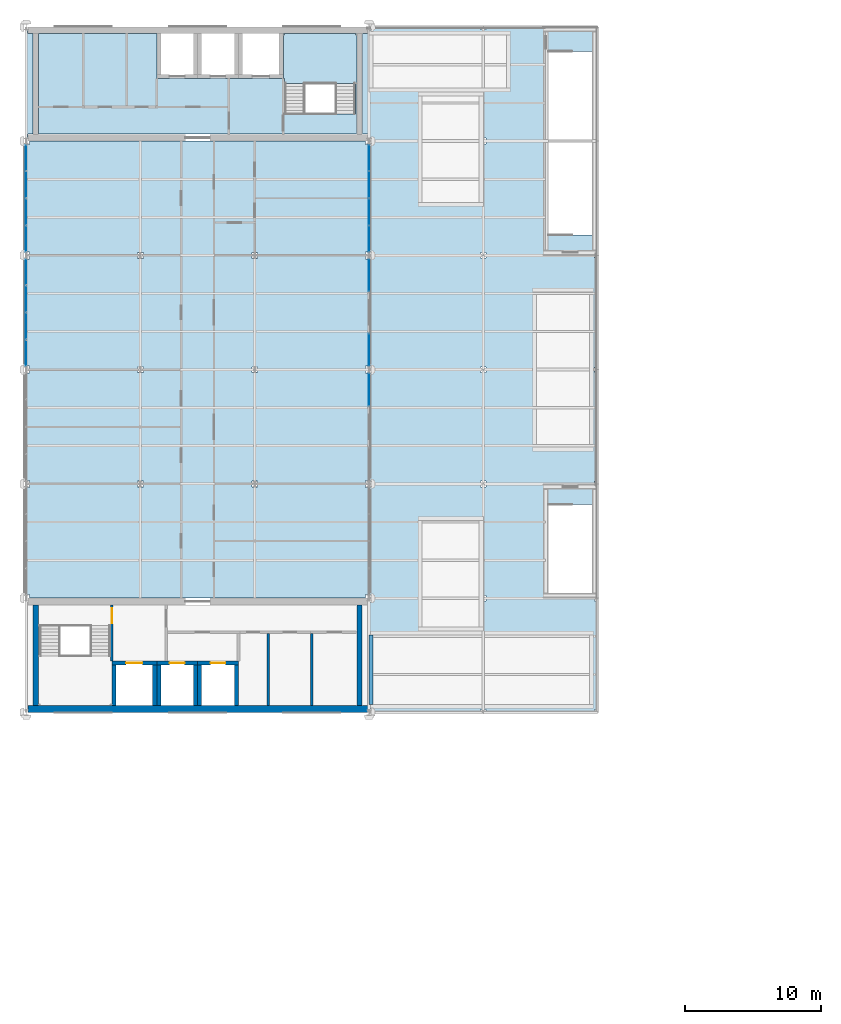
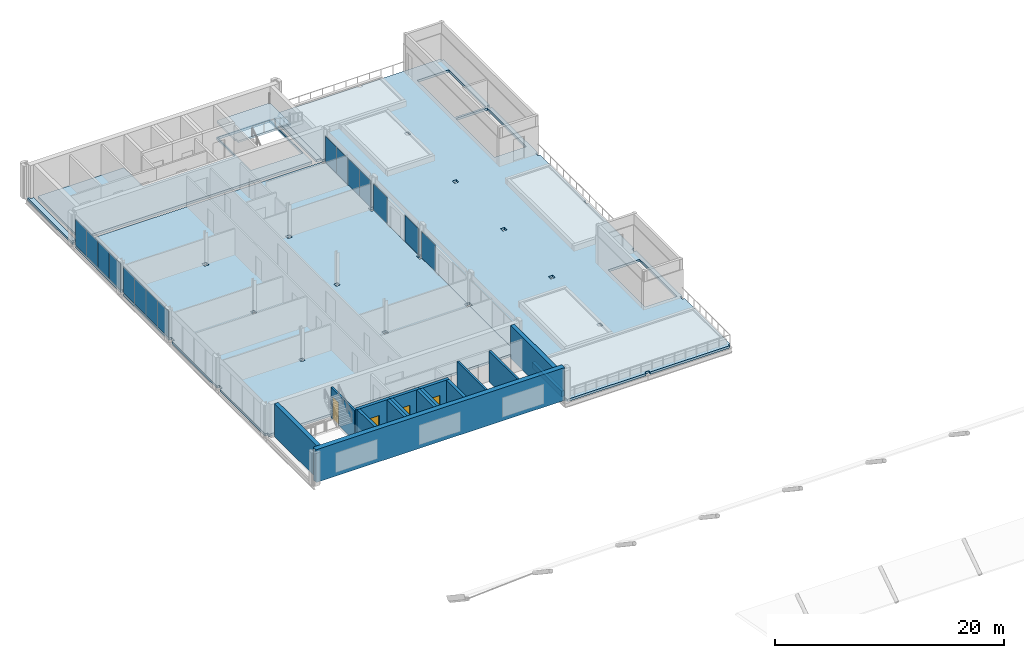
# One storey, part 23 of 32: 16 walls, 15 plates, 6 slabs, 4 doors, 4 openings, 7 elements without a shape of their own.
"""IFC4 building model written with IfcOpenShell, lengths in metres."""

from ifc_helpers import new_model, si_unit, direction, frame, frame_2d, origin, origin_2d, place, context, subcontext, project, spatial, polyline, rectangle, outline, extrude, material, layer, layer_set, type_object, element, fill, aggregate, save


model = new_model("IFC4")

# Units and contexts
model_context = context("Model", 3, precision=1e-05, world=origin(), true_north=direction((0.0, 1.0)))
body_context = subcontext(model_context, "Body", "Model", "MODEL_VIEW")
ifc_project = project(units=[si_unit("LENGTHUNIT", "METRE"), si_unit("AREAUNIT", "SQUARE_METRE"), si_unit("VOLUMEUNIT", "CUBIC_METRE"), si_unit("PLANEANGLEUNIT", "RADIAN"), si_unit("MASSUNIT", "GRAM", prefix="KILO")], contexts=[model_context])

# Site, building, storey
site_placement = place(None, origin())
site = spatial("IfcSite", under=ifc_project, at=site_placement, CompositionType="ELEMENT")
building_placement = place(site_placement, origin())
building = spatial("IfcBuilding", under=site, at=building_placement, Name="Catenary Quay Ferry Terminal", CompositionType="ELEMENT")
storey_placement = place(building_placement, frame((0.0, 0.0, 17.10009765625)))
storey = spatial("IfcBuildingStorey", under=building, at=storey_placement, Name="L03", CompositionType="ELEMENT", Elevation=17.10009765625)

# Slabs
ifc_material_1 = material(Name="Concrete C35/45", Category="concrete")
ifc_layer_1 = layer(ifc_material_1, 0.25)
ifc_layer_set_1 = layer_set([ifc_layer_1], Name="Composite floor slab 250")
slab_type_1 = type_object("IfcSlabType", Name="Composite floor slab 250", PredefinedType="FLOOR", material=ifc_layer_set_1)
slab_1_placement = place(storey_placement, frame((0.0, 0.0, -0.25)))
element("IfcSlab", 1, at=slab_1_placement, inside=storey, type_object=slab_type_1, Name="Wing floor slab L03", PredefinedType="FLOOR", context=body_context, shape_type="SweptSolid", body=[
    extrude(outline(polyline([(50.39990234375, 168.260009765625), (50.139892578125, 168.260009765625), (50.139892578125, 168.010009765625), (25.4599609375, 168.010009765625), (25.4599609375, 168.260009765625), (25.199951171875, 168.260009765625), (25.199951171875, 176.139892578125), (25.4599609375, 176.139892578125), (25.4599609375, 176.659912109375), (25.199951171875, 176.659912109375), (25.199951171875, 184.5400390625), (25.4599609375, 184.5400390625), (25.4599609375, 185.06005859375), (25.199951171875, 185.06005859375), (25.199951171875, 192.93994140625), (25.4599609375, 192.93994140625), (25.4599609375, 193.4599609375), (25.199951171875, 193.4599609375), (25.199951171875, 201.340087890625), (25.4599609375, 201.340087890625), (25.4599609375, 201.590087890625), (50.139892578125, 201.590087890625), (50.139892578125, 201.340087890625), (50.39990234375, 201.340087890625), (50.39990234375, 193.4599609375), (50.139892578125, 193.4599609375), (50.139892578125, 192.93994140625), (50.39990234375, 192.93994140625), (50.39990234375, 185.06005859375), (50.139892578125, 185.06005859375), (50.139892578125, 184.5400390625), (50.39990234375, 184.5400390625), (50.39990234375, 176.659912109375), (50.139892578125, 176.659912109375), (50.139892578125, 176.139892578125), (50.39990234375, 176.139892578125), (50.39990234375, 168.260009765625)]), holes=[polyline([(33.8134765625, 176.1865234375), (33.8134765625, 176.613525390625), (33.386474609375, 176.613525390625), (33.386474609375, 176.1865234375), (33.8134765625, 176.1865234375)]), polyline([(33.8134765625, 184.58642578125), (33.8134765625, 185.013427734375), (33.386474609375, 185.013427734375), (33.386474609375, 184.58642578125), (33.8134765625, 184.58642578125)]), polyline([(33.386474609375, 192.986572265625), (33.8134765625, 192.986572265625), (33.8134765625, 193.41357421875), (33.386474609375, 193.41357421875), (33.386474609375, 192.986572265625)]), polyline([(42.21337890625, 176.1865234375), (42.21337890625, 176.613525390625), (41.78662109375, 176.613525390625), (41.78662109375, 176.1865234375), (42.21337890625, 176.1865234375)]), polyline([(41.78662109375, 184.58642578125), (42.21337890625, 184.58642578125), (42.21337890625, 185.013427734375), (41.78662109375, 185.013427734375), (41.78662109375, 184.58642578125)]), polyline([(42.21337890625, 192.986572265625), (42.21337890625, 193.41357421875), (41.78662109375, 193.41357421875), (41.78662109375, 192.986572265625), (42.21337890625, 192.986572265625)])]), origin(), (0.0, 0.0, 1.0), 0.25),
])
slab_2_placement = place(storey_placement, frame((0.0, 0.0, -0.25)))
element("IfcSlab", 2, at=slab_2_placement, inside=storey, type_object=slab_type_1, Name="Wing floor slab L03", PredefinedType="FLOOR", context=body_context, shape_type="SweptSolid", body=[
    extrude(outline(polyline([(50.39990234375, 202.110107421875), (49.909912109375, 202.110107421875), (49.909912109375, 209.489990234375), (50.39990234375, 209.489990234375), (50.39990234375, 202.110107421875)])), origin(), (0.0, 0.0, 1.0), 0.25),
])
slab_3_placement = place(storey_placement, frame((0.0, 0.0, -0.25)))
element("IfcSlab", 3, at=slab_3_placement, inside=storey, type_object=slab_type_1, Name="Wing floor slab L03", PredefinedType="FLOOR", context=body_context, shape_type="SweptSolid", body=[
    extrude(outline(polyline([(25.199951171875, 209.739990234375), (25.340087890625, 209.739990234375), (25.340087890625, 209.489990234375), (25.68994140625, 209.489990234375), (25.68994140625, 202.110107421875), (25.340087890625, 202.110107421875), (25.340087890625, 201.860107421875), (25.199951171875, 201.860107421875), (25.199951171875, 209.739990234375)])), origin(), (0.0, 0.0, 1.0), 0.25),
])
slab_4_placement = place(storey_placement, frame((0.0, 0.0, -0.25)))
element("IfcSlab", 4, at=slab_4_placement, inside=storey, type_object=slab_type_1, Name="Wing floor slab L03", PredefinedType="FLOOR", context=body_context, shape_type="SweptSolid", body=[
    extrude(outline(polyline([(49.489990234375, 209.489990234375), (49.489990234375, 202.110107421875), (26.110107421875, 202.110107421875), (26.110107421875, 209.489990234375), (34.800048828125, 209.489990234375), (34.800048828125, 206.199951171875), (37.800048828125, 206.199951171875), (40.800048828125, 206.199951171875), (44.10009765625, 206.199951171875), (44.10009765625, 209.489990234375), (49.489990234375, 209.489990234375)]), holes=[polyline([(49.39990234375, 203.60009765625), (49.39990234375, 209.39990234375), (44.199951171875, 209.39990234375), (44.199951171875, 203.60009765625), (49.39990234375, 203.60009765625)])]), origin(), (0.0, 0.0, 1.0), 0.25),
])
ifc_material_2 = material(Name="Concrete C35/45", Category="concrete")
ifc_layer_2 = layer(ifc_material_2, 0.25)
ifc_layer_set_2 = layer_set([ifc_layer_2], Name="Composite roof slab 250")
slab_type_2 = type_object("IfcSlabType", Name="Composite roof slab 250", PredefinedType="ROOF", material=ifc_layer_set_2)
slab_5_placement = place(storey_placement, frame((0.0, 0.0, -0.25)))
element("IfcSlab", 5, at=slab_5_placement, inside=storey, type_object=slab_type_2, Name="Garden terrace slab", PredefinedType="ROOF", context=body_context, shape_type="SweptSolid", body=[
    extrude(outline(polyline([(67.199951171875, 159.81005859375), (66.989990234375, 159.81005859375), (66.989990234375, 159.60009765625), (59.010009765625, 159.60009765625), (59.010009765625, 159.81005859375), (58.590087890625, 159.81005859375), (58.590087890625, 159.60009765625), (50.659912109375, 159.60009765625), (50.659912109375, 159.860107421875), (50.403076171875, 159.860107421875), (50.403076171875, 160.110107421875), (50.39990234375, 160.110107421875), (50.39990234375, 167.489990234375), (50.403076171875, 167.489990234375), (50.403076171875, 167.739990234375), (50.659912109375, 167.739990234375), (50.659912109375, 168.260009765625), (50.39990234375, 168.260009765625), (50.39990234375, 176.139892578125), (50.659912109375, 176.139892578125), (50.659912109375, 176.659912109375), (50.39990234375, 176.659912109375), (50.39990234375, 184.5400390625), (50.659912109375, 184.5400390625), (50.659912109375, 185.06005859375), (50.39990234375, 185.06005859375), (50.39990234375, 192.93994140625), (50.659912109375, 192.93994140625), (50.659912109375, 193.4599609375), (50.39990234375, 193.4599609375), (50.39990234375, 201.340087890625), (50.659912109375, 201.340087890625), (50.659912109375, 201.860107421875), (50.403076171875, 201.860107421875), (50.403076171875, 202.110107421875), (50.39990234375, 202.110107421875), (50.39990234375, 209.489990234375), (50.403076171875, 209.489990234375), (50.403076171875, 209.739990234375), (50.659912109375, 209.739990234375), (50.659912109375, 210.0), (58.590087890625, 210.0), (58.590087890625, 209.7900390625), (59.010009765625, 209.7900390625), (59.010009765625, 210.0), (66.989990234375, 210.0), (66.989990234375, 209.7900390625), (67.199951171875, 209.7900390625), (67.199951171875, 201.81005859375), (66.989990234375, 201.81005859375), (66.989990234375, 201.389892578125), (67.199951171875, 201.389892578125), (67.199951171875, 193.409912109375), (66.989990234375, 193.409912109375), (66.989990234375, 192.989990234375), (67.199951171875, 192.989990234375), (67.199951171875, 185.010009765625), (66.989990234375, 185.010009765625), (66.989990234375, 184.590087890625), (67.199951171875, 184.590087890625), (67.199951171875, 176.610107421875), (66.989990234375, 176.610107421875), (66.989990234375, 176.18994140625), (67.199951171875, 176.18994140625), (67.199951171875, 168.2099609375), (66.989990234375, 168.2099609375), (66.989990234375, 167.7900390625), (67.199951171875, 167.7900390625), (67.199951171875, 159.81005859375)]), holes=[polyline([(59.010009765625, 167.7900390625), (59.010009765625, 168.2099609375), (58.590087890625, 168.2099609375), (58.590087890625, 167.7900390625), (59.010009765625, 167.7900390625)]), polyline([(59.010009765625, 176.18994140625), (59.010009765625, 176.610107421875), (58.590087890625, 176.610107421875), (58.590087890625, 176.18994140625), (59.010009765625, 176.18994140625)]), polyline([(66.800048828125, 168.39990234375), (66.800048828125, 174.89990234375), (63.60009765625, 174.89990234375), (63.60009765625, 168.39990234375), (66.800048828125, 168.39990234375)]), polyline([(59.010009765625, 184.590087890625), (59.010009765625, 185.010009765625), (58.590087890625, 185.010009765625), (58.590087890625, 184.590087890625), (59.010009765625, 184.590087890625)]), polyline([(59.010009765625, 192.989990234375), (59.010009765625, 193.409912109375), (58.590087890625, 193.409912109375), (58.590087890625, 192.989990234375), (59.010009765625, 192.989990234375)]), polyline([(66.800048828125, 194.699951171875), (66.800048828125, 201.5), (63.60009765625, 201.5), (63.60009765625, 194.699951171875), (66.800048828125, 194.699951171875)]), polyline([(59.010009765625, 201.389892578125), (59.010009765625, 201.81005859375), (58.590087890625, 201.81005859375), (58.590087890625, 201.389892578125), (59.010009765625, 201.389892578125)]), polyline([(66.800048828125, 201.699951171875), (66.800048828125, 208.199951171875), (63.60009765625, 208.199951171875), (63.60009765625, 201.699951171875), (66.800048828125, 201.699951171875)])]), origin(), (0.0, 0.0, 1.0), 0.25),
])

# Curtain wall, plate
ifc_material_3 = material(Name="Aluminium and glass", Category="aluminium")
curtain_wall_type = type_object("IfcCurtainWallType", Name="CWW3", PredefinedType="NOTDEFINED", material=ifc_material_3)
curtain_wall_1_placement = place(storey_placement, origin())
curtain_wall_1 = element("IfcCurtainWall", 6, at=curtain_wall_1_placement, inside=storey, type_object=curtain_wall_type, Name="Wing curtain wall CW146", PredefinedType="NOTDEFINED")
ifc_material_4 = material(Name="Glass", Category="glass")
ifc_layer_3 = layer(ifc_material_4, 0.035888671875)
ifc_layer_set_3 = layer_set([ifc_layer_3], Name="PN4")
plate_type = type_object("IfcPlateType", Name="PN4", PredefinedType="CURTAIN_PANEL", material=ifc_layer_set_3)
plate_1_placement = place(storey_placement, frame((50.39990234375, 183.35009765625, 0.0498046875), z_axis=(0.0, 0.0, 1.0), x_axis=(0.0, 1.0, 0.0)))
plate_1 = element("IfcPlate", 7, at=plate_1_placement, type_object=plate_type, Name="CW146 panel 1.1", PredefinedType="CURTAIN_PANEL", context=body_context, shape_type="SweptSolid", body=[
    extrude(rectangle(XDim=2.3798828125, YDim=0.035888671875, at=origin_2d()), origin(), (0.0, 0.0, 1.0), 2.800048828125),
])
aggregate(curtain_wall_1, [plate_1])

curtain_wall_2_placement = place(storey_placement, origin())
curtain_wall_2 = element("IfcCurtainWall", 8, at=curtain_wall_2_placement, inside=storey, type_object=curtain_wall_type, Name="Wing curtain wall CW147", PredefinedType="NOTDEFINED")
plate_2_placement = place(storey_placement, frame((50.39990234375, 186.25, 0.0498046875), z_axis=(0.0, 0.0, 1.0), x_axis=(0.0, 1.0, 0.0)))
plate_2 = element("IfcPlate", 9, at=plate_2_placement, type_object=plate_type, Name="CW147 panel 1.1", PredefinedType="CURTAIN_PANEL", context=body_context, shape_type="SweptSolid", body=[
    extrude(rectangle(XDim=2.3798828125, YDim=0.035888671875, at=origin_2d()), origin(), (0.0, 0.0, 1.0), 2.800048828125),
])
aggregate(curtain_wall_2, [plate_2])

curtain_wall_3_placement = place(storey_placement, origin())
curtain_wall_3 = element("IfcCurtainWall", 10, at=curtain_wall_3_placement, inside=storey, type_object=curtain_wall_type, Name="Wing curtain wall CW148", PredefinedType="NOTDEFINED")
plate_3_placement = place(storey_placement, frame((50.39990234375, 191.75, 0.0498046875), z_axis=(0.0, 0.0, 1.0), x_axis=(0.0, 1.0, 0.0)))
plate_3 = element("IfcPlate", 11, at=plate_3_placement, type_object=plate_type, Name="CW148 panel 1.1", PredefinedType="CURTAIN_PANEL", context=body_context, shape_type="SweptSolid", body=[
    extrude(rectangle(XDim=2.3798828125, YDim=0.035888671875, at=origin_2d()), origin(), (0.0, 0.0, 1.0), 2.800048828125),
])
aggregate(curtain_wall_3, [plate_3])

# Curtain wall, plates
curtain_wall_4_placement = place(storey_placement, origin())
curtain_wall_4 = element("IfcCurtainWall", 12, at=curtain_wall_4_placement, inside=storey, type_object=curtain_wall_type, Name="Wing curtain wall CW149", PredefinedType="NOTDEFINED")
plate_4_placement = place(storey_placement, frame((50.39990234375, 194.4150390625, 0.0498046875), z_axis=(0.0, 0.0, 1.0), x_axis=(0.0, 1.0, 0.0)))
plate_4 = element("IfcPlate", 13, at=plate_4_placement, type_object=plate_type, Name="CW149 panel 1.1", PredefinedType="CURTAIN_PANEL", context=body_context, shape_type="SweptSolid", body=[
    extrude(rectangle(XDim=1.909912109375, YDim=0.035888671875, at=origin_2d()), origin(), (0.0, 0.0, 1.0), 2.800048828125),
])
plate_5_placement = place(storey_placement, frame((50.39990234375, 196.39990234375, 0.0498046875), z_axis=(0.0, 0.0, 1.0), x_axis=(0.0, 1.0, 0.0)))
plate_5 = element("IfcPlate", 14, at=plate_5_placement, type_object=plate_type, Name="CW149 panel 2.1", PredefinedType="CURTAIN_PANEL", context=body_context, shape_type="SweptSolid", body=[
    extrude(rectangle(XDim=1.93994140625, YDim=0.035888671875, at=origin_2d()), origin(), (0.0, 0.0, 1.0), 2.800048828125),
])
plate_6_placement = place(storey_placement, frame((50.39990234375, 198.39990234375, 0.0498046875), z_axis=(0.0, 0.0, 1.0), x_axis=(0.0, 1.0, 0.0)))
plate_6 = element("IfcPlate", 15, at=plate_6_placement, type_object=plate_type, Name="CW149 panel 3.1", PredefinedType="CURTAIN_PANEL", context=body_context, shape_type="SweptSolid", body=[
    extrude(rectangle(XDim=1.93994140625, YDim=0.035888671875, at=origin_2d()), origin(), (0.0, 0.0, 1.0), 2.800048828125),
])
plate_7_placement = place(storey_placement, frame((50.39990234375, 200.385009765625, 0.0498046875), z_axis=(0.0, 0.0, 1.0), x_axis=(0.0, 1.0, 0.0)))
plate_7 = element("IfcPlate", 16, at=plate_7_placement, type_object=plate_type, Name="CW149 panel 4.1", PredefinedType="CURTAIN_PANEL", context=body_context, shape_type="SweptSolid", body=[
    extrude(rectangle(XDim=1.909912109375, YDim=0.035888671875, at=origin_2d()), origin(), (0.0, 0.0, 1.0), 2.800048828125),
])
aggregate(curtain_wall_4, [plate_4, plate_5, plate_6, plate_7])

curtain_wall_5_placement = place(storey_placement, origin())
curtain_wall_5 = element("IfcCurtainWall", 17, at=curtain_wall_5_placement, inside=storey, type_object=curtain_wall_type, Name="Wing curtain wall CW152", PredefinedType="NOTDEFINED")
plate_8_placement = place(storey_placement, frame((25.199951171875, 186.014892578125, 0.0498046875), z_axis=(0.0, 0.0, 1.0), x_axis=(0.0, 1.0, 0.0)))
plate_8 = element("IfcPlate", 18, at=plate_8_placement, type_object=plate_type, Name="CW152 panel 1.1", PredefinedType="CURTAIN_PANEL", context=body_context, shape_type="SweptSolid", body=[
    extrude(rectangle(XDim=1.909912109375, YDim=0.035888671875, at=origin_2d()), origin(), (0.0, 0.0, 1.0), 2.800048828125),
])
plate_9_placement = place(storey_placement, frame((25.199951171875, 188.0, 0.0498046875), z_axis=(0.0, 0.0, 1.0), x_axis=(0.0, 1.0, 0.0)))
plate_9 = element("IfcPlate", 19, at=plate_9_placement, type_object=plate_type, Name="CW152 panel 2.1", PredefinedType="CURTAIN_PANEL", context=body_context, shape_type="SweptSolid", body=[
    extrude(rectangle(XDim=1.93994140625, YDim=0.035888671875, at=origin_2d()), origin(), (0.0, 0.0, 1.0), 2.800048828125),
])
plate_10_placement = place(storey_placement, frame((25.199951171875, 190.0, 0.0498046875), z_axis=(0.0, 0.0, 1.0), x_axis=(0.0, 1.0, 0.0)))
plate_10 = element("IfcPlate", 20, at=plate_10_placement, type_object=plate_type, Name="CW152 panel 3.1", PredefinedType="CURTAIN_PANEL", context=body_context, shape_type="SweptSolid", body=[
    extrude(rectangle(XDim=1.93994140625, YDim=0.035888671875, at=origin_2d()), origin(), (0.0, 0.0, 1.0), 2.800048828125),
])
plate_11_placement = place(storey_placement, frame((25.199951171875, 191.985107421875, 0.0498046875), z_axis=(0.0, 0.0, 1.0), x_axis=(0.0, 1.0, 0.0)))
plate_11 = element("IfcPlate", 21, at=plate_11_placement, type_object=plate_type, Name="CW152 panel 4.1", PredefinedType="CURTAIN_PANEL", context=body_context, shape_type="SweptSolid", body=[
    extrude(rectangle(XDim=1.909912109375, YDim=0.035888671875, at=origin_2d()), origin(), (0.0, 0.0, 1.0), 2.800048828125),
])
aggregate(curtain_wall_5, [plate_8, plate_9, plate_10, plate_11])

curtain_wall_6_placement = place(storey_placement, origin())
curtain_wall_6 = element("IfcCurtainWall", 22, at=curtain_wall_6_placement, inside=storey, type_object=curtain_wall_type, Name="Wing curtain wall CW153", PredefinedType="NOTDEFINED")
plate_12_placement = place(storey_placement, frame((25.199951171875, 194.4150390625, 0.0498046875), z_axis=(0.0, 0.0, 1.0), x_axis=(0.0, 1.0, 0.0)))
plate_12 = element("IfcPlate", 23, at=plate_12_placement, type_object=plate_type, Name="CW153 panel 1.1", PredefinedType="CURTAIN_PANEL", context=body_context, shape_type="SweptSolid", body=[
    extrude(rectangle(XDim=1.909912109375, YDim=0.035888671875, at=origin_2d()), origin(), (0.0, 0.0, 1.0), 2.800048828125),
])
plate_13_placement = place(storey_placement, frame((25.199951171875, 196.39990234375, 0.0498046875), z_axis=(0.0, 0.0, 1.0), x_axis=(0.0, 1.0, 0.0)))
plate_13 = element("IfcPlate", 24, at=plate_13_placement, type_object=plate_type, Name="CW153 panel 2.1", PredefinedType="CURTAIN_PANEL", context=body_context, shape_type="SweptSolid", body=[
    extrude(rectangle(XDim=1.93994140625, YDim=0.035888671875, at=origin_2d()), origin(), (0.0, 0.0, 1.0), 2.800048828125),
])
plate_14_placement = place(storey_placement, frame((25.199951171875, 198.39990234375, 0.0498046875), z_axis=(0.0, 0.0, 1.0), x_axis=(0.0, 1.0, 0.0)))
plate_14 = element("IfcPlate", 25, at=plate_14_placement, type_object=plate_type, Name="CW153 panel 3.1", PredefinedType="CURTAIN_PANEL", context=body_context, shape_type="SweptSolid", body=[
    extrude(rectangle(XDim=1.93994140625, YDim=0.035888671875, at=origin_2d()), origin(), (0.0, 0.0, 1.0), 2.800048828125),
])
plate_15_placement = place(storey_placement, frame((25.199951171875, 200.385009765625, 0.0498046875), z_axis=(0.0, 0.0, 1.0), x_axis=(0.0, 1.0, 0.0)))
plate_15 = element("IfcPlate", 26, at=plate_15_placement, type_object=plate_type, Name="CW153 panel 4.1", PredefinedType="CURTAIN_PANEL", context=body_context, shape_type="SweptSolid", body=[
    extrude(rectangle(XDim=1.909912109375, YDim=0.035888671875, at=origin_2d()), origin(), (0.0, 0.0, 1.0), 2.800048828125),
])
aggregate(curtain_wall_6, [plate_12, plate_13, plate_14, plate_15])

# Stair, slab
ifc_material_5 = material(Name="Concrete C35/45", Category="concrete")
stair_type = type_object("IfcStairType", Name="STX1500", PredefinedType="HALF_TURN_STAIR", material=ifc_material_5)
stair_placement = place(storey_placement, origin())
stair = element("IfcStair", 27, at=stair_placement, inside=storey, type_object=stair_type, Name="Stair HS1 L03 to L04", PredefinedType="HALF_TURN_STAIR")
ifc_material_6 = material(Name="Concrete C35/45", Category="concrete")
ifc_layer_4 = layer(ifc_material_6, 0.199951171875)
ifc_layer_set_4 = layer_set([ifc_layer_4], Name="SLX1500")
slab_type_3 = type_object("IfcSlabType", Name="SLX1500", PredefinedType="LANDING", material=ifc_layer_set_4)
slab_6_placement = place(storey_placement, frame((0.0, 0.0, 1.5498046875)))
slab_6 = element("IfcSlab", 28, at=slab_6_placement, type_object=slab_type_3, Name="HS1-L03 landing 1", PredefinedType="LANDING", context=body_context, shape_type="SweptSolid", body=[
    extrude(outline(polyline([(44.10009765625, 209.39990234375), (44.199951171875, 209.39990234375), (44.199951171875, 209.5), (49.39990234375, 209.5), (49.39990234375, 209.39990234375), (49.5, 209.39990234375), (49.5, 205.85009765625), (44.199951171875, 205.85009765625), (44.199951171875, 206.199951171875), (44.10009765625, 206.199951171875), (44.10009765625, 209.39990234375)])), origin(), (0.0, 0.0, 1.0), 0.2001953125),
])
aggregate(stair, [slab_6])

# Walls
ifc_material_7 = material(Name="Concrete C50/60", Category="concrete")
ifc_layer_5 = layer(ifc_material_7, 0.39990234375)
ifc_layer_set_5 = layer_set([ifc_layer_5], Name="Core wall 400")
wall_type_1 = type_object("IfcWallType", Name="Core wall 400", PredefinedType="SHEAR", material=ifc_layer_set_5)
for number, where, z_axis, x_axis, name in (
    (29, (25.89990234375, 160.10009765625, 0.0), (0.0, 0.0, 1.0), (0.0, 1.0, 0.0), "Core wall S3"),
    (30, (49.699951171875, 160.10009765625, 0.0), (0.0, 0.0, 1.0), (0.0, 1.0, 0.0), "Core wall S4"),
):
    element("IfcWall", number, at=place(storey_placement, frame(where, z_axis=z_axis, x_axis=x_axis)), inside=storey, type_object=wall_type_1, Name=name, PredefinedType="SHEAR", context=body_context, shape_type="SweptSolid", body=[
        extrude(rectangle(XDim=7.39990234375, YDim=0.39990234375, at=frame_2d((3.699951171875, 0.0))), origin(), (0.0, 0.0, 1.0), 3.5),
    ])
ifc_material_8 = material(Name="Concrete C50/60", Category="concrete")
ifc_layer_6 = layer(ifc_material_8, 0.5)
ifc_layer_set_6 = layer_set([ifc_layer_6], Name="Core wall 500")
wall_type_2 = type_object("IfcWallType", Name="Core wall 500", PredefinedType="SHEAR", material=ifc_layer_set_6)
wall_1_placement = place(storey_placement, frame((25.35009765625, 159.85009765625, 0.0), z_axis=(0.0, 0.0, 1.0), x_axis=(1.0, 0.0, 0.0)))
element("IfcWall", 31, at=wall_1_placement, inside=storey, type_object=wall_type_2, Name="Core wall S1", PredefinedType="SHEAR", context=body_context, shape_type="SweptSolid", body=[
    extrude(rectangle(XDim=25.04296875, YDim=0.5, at=frame_2d((12.521484375, 0.0))), origin(), (0.0, 0.0, 1.0), 3.5),
])
ifc_material_9 = material(Name="Masonry and insulation", Category="masonry")
ifc_layer_7 = layer(ifc_material_9, 0.300048828125)
ifc_layer_set_7 = layer_set([ifc_layer_7], Name="EW15")
wall_type_3 = type_object("IfcWallType", Name="EW15", PredefinedType="SOLIDWALL", material=ifc_layer_set_7)
wall_2_placement = place(storey_placement, frame((50.550048828125, 160.199951171875, 0.0), z_axis=(0.0, 0.0, 1.0), x_axis=(0.0, 1.0, 0.0)))
element("IfcWall", 32, at=wall_2_placement, inside=storey, type_object=wall_type_3, Name="Planter terrace wall WL138", PredefinedType="SOLIDWALL", context=body_context, shape_type="SweptSolid", body=[
    extrude(rectangle(XDim=5.10009765625, YDim=0.300048828125, at=frame_2d((2.550048828125, 0.0))), origin(), (0.0, 0.0, 1.0), 0.599853515625),
])

# Wall, opening, door
ifc_material_10 = material(Name="Blockwork and plaster", Category="masonry")
ifc_layer_8 = layer(ifc_material_10, 0.199951171875)
ifc_layer_set_8 = layer_set([ifc_layer_8], Name="IP4")
wall_type_4 = type_object("IfcWallType", Name="IP4", PredefinedType="PARTITIONING", material=ifc_layer_set_8)
wall_3_placement = place(storey_placement, frame((31.5, 163.39990234375, 0.0), z_axis=(0.0, 0.0, 1.0), x_axis=(0.0, 1.0, 0.0)))
wall_3 = element("IfcWall", 33, at=wall_3_placement, inside=storey, type_object=wall_type_4, Name="Partition L03 23", PredefinedType="PARTITIONING", context=body_context, shape_type="SweptSolid", body=[
    extrude(rectangle(XDim=4.10009765625, YDim=0.199951171875, at=frame_2d((2.050048828125, 0.0))), origin(), (0.0, 0.0, 1.0), 3.25),
])
opening_1_placement = place(wall_3_placement, frame((2.75, 0.0, 0.0)))
opening_1 = element("IfcOpeningElement", 34, at=opening_1_placement, cuts=wall_3, Name="Opening D200", PredefinedType="OPENING", context=body_context, shape_type="SweptSolid", body=[
    extrude(rectangle(XDim=1.10009765625, YDim=2.39990234375, at=frame_2d((0.550048828125, 1.199951171875))), frame((0.0, 0.10986328125, 0.0), z_axis=(0.0, -1.0, 0.0), x_axis=(1.0, 0.0, 0.0)), (0.0, 0.0, 1.0), 0.219970703125),
])
ifc_material_11 = material(Name="Steel", Category="steel")
door_type_1 = type_object("IfcDoorType", Name="DI4", OperationType="SINGLE_SWING_LEFT", PredefinedType="DOOR", material=ifc_material_11)
door_1_placement = place(opening_1_placement, origin())
door_1 = element("IfcDoor", 35, at=door_1_placement, inside=storey, type_object=door_type_1, Name="Stair HS2 to Fire-fighting Lobby S", OperationType="SINGLE_SWING_LEFT", OverallHeight=2.39990234375, OverallWidth=1.10009765625, PredefinedType="DOOR", context=body_context, shape_type="SweptSolid", body=[
    extrude(rectangle(XDim=1.10009765625, YDim=2.39990234375, at=frame_2d((0.550048828125, 1.199951171875))), frame((0.0, 0.02490234375, 0.0), z_axis=(0.0, -1.0, 0.0), x_axis=(1.0, 0.0, 0.0)), (0.0, 0.0, 1.0), 0.050048828125),
])
fill(opening_1, door_1)

# Walls
ifc_material_12 = material(Name="Blockwork and plaster", Category="masonry")
ifc_layer_9 = layer(ifc_material_12, 0.199951171875)
ifc_layer_set_9 = layer_set([ifc_layer_9], Name="IP6")
wall_type_5 = type_object("IfcWallType", Name="IP6", PredefinedType="PARTITIONING", material=ifc_layer_set_9)
for number, where, z_axis, x_axis, name in (
    (36, (43.0, 160.10009765625, 0.0), (0.0, 0.0, 1.0), (0.0, 1.0, 0.0), "Partition L03 33"),
    (37, (46.199951171875, 160.10009765625, 0.0), (0.0, 0.0, 1.0), (0.0, 1.0, 0.0), "Partition L03 35"),
):
    element("IfcWall", number, at=place(storey_placement, frame(where, z_axis=z_axis, x_axis=x_axis)), inside=storey, type_object=wall_type_5, Name=name, PredefinedType="PARTITIONING", context=body_context, shape_type="SweptSolid", body=[
        extrude(rectangle(XDim=5.2998046875, YDim=0.199951171875, at=frame_2d((2.64990234375, 0.0))), origin(), (0.0, 0.0, 1.0), 3.25),
    ])
ifc_material_13 = material(Name="Concrete C50/60", Category="concrete")
ifc_layer_10 = layer(ifc_material_13, 0.300048828125)
ifc_layer_set_10 = layer_set([ifc_layer_10], Name="Shaft wall 300")
wall_type_6 = type_object("IfcWallType", Name="Shaft wall 300", PredefinedType="SHEAR", material=ifc_layer_set_10)
for number, where, z_axis, x_axis, name in (
    (38, (34.64990234375, 160.10009765625, 0.0), (0.0, 0.0, 1.0), (0.0, 1.0, 0.0), "Shaft wall FL1 E"),
    (39, (31.64990234375, 160.10009765625, 0.0), (0.0, 0.0, 1.0), (0.0, 1.0, 0.0), "Shaft wall FL1 W"),
):
    element("IfcWall", number, at=place(storey_placement, frame(where, z_axis=z_axis, x_axis=x_axis)), inside=storey, type_object=wall_type_6, Name=name, PredefinedType="SHEAR", context=body_context, shape_type="SweptSolid", body=[
        extrude(rectangle(XDim=3.0, YDim=0.300048828125, at=frame_2d((1.5, 0.0))), origin(), (0.0, 0.0, 1.0), 3.5),
    ])

# Wall, opening, door
wall_4_placement = place(storey_placement, frame((31.5, 163.25, 0.0), z_axis=(0.0, 0.0, 1.0), x_axis=(1.0, 0.0, 0.0)))
wall_4 = element("IfcWall", 40, at=wall_4_placement, inside=storey, type_object=wall_type_6, Name="Shaft wall FL1 N", PredefinedType="SHEAR", context=body_context, shape_type="SweptSolid", body=[
    extrude(rectangle(XDim=3.300048828125, YDim=0.300048828125, at=frame_2d((1.64990234375, 0.0))), origin(), (0.0, 0.0, 1.0), 3.5),
])
opening_2_placement = place(wall_4_placement, frame((1.050048828125, 0.0, 0.0)))
opening_2 = element("IfcOpeningElement", 41, at=opening_2_placement, cuts=wall_4, Name="Opening LD8", PredefinedType="OPENING", context=body_context, shape_type="SweptSolid", body=[
    extrude(rectangle(XDim=1.199951171875, YDim=2.10009765625, at=frame_2d((0.60009765625, 1.050048828125))), frame((0.0, 0.159912109375, 0.0), z_axis=(0.0, -1.0, 0.0), x_axis=(1.0, 0.0, 0.0)), (0.0, 0.0, 1.0), 0.320068359375),
])
ifc_material_14 = material(Name="Stainless steel", Category="steel")
door_type_2 = type_object("IfcDoorType", Name="DL2", OperationType="SLIDING_TO_LEFT", PredefinedType="DOOR", material=ifc_material_14)
door_2_placement = place(opening_2_placement, origin())
door_2 = element("IfcDoor", 42, at=door_2_placement, inside=storey, type_object=door_type_2, Name="Lift FL1 landing door L03", OperationType="SLIDING_TO_LEFT", OverallHeight=2.10009765625, OverallWidth=1.199951171875, PredefinedType="DOOR", context=body_context, shape_type="SweptSolid", body=[
    extrude(rectangle(XDim=1.199951171875, YDim=2.10009765625, at=frame_2d((0.60009765625, 1.050048828125))), frame((0.0, 0.02490234375, 0.0), z_axis=(0.0, -1.0, 0.0), x_axis=(1.0, 0.0, 0.0)), (0.0, 0.0, 1.0), 0.050048828125),
])
fill(opening_2, door_2)

# Walls
for number, where, z_axis, x_axis, name in (
    (43, (37.64990234375, 160.10009765625, 0.0), (0.0, 0.0, 1.0), (0.0, 1.0, 0.0), "Shaft wall GL1 E"),
    (44, (34.949951171875, 160.10009765625, 0.0), (0.0, 0.0, 1.0), (0.0, 1.0, 0.0), "Shaft wall GL1 W"),
):
    element("IfcWall", number, at=place(storey_placement, frame(where, z_axis=z_axis, x_axis=x_axis)), inside=storey, type_object=wall_type_6, Name=name, PredefinedType="SHEAR", context=body_context, shape_type="SweptSolid", body=[
        extrude(rectangle(XDim=3.0, YDim=0.300048828125, at=frame_2d((1.5, 0.0))), origin(), (0.0, 0.0, 1.0), 3.5),
    ])

# Wall, opening, door
wall_5_placement = place(storey_placement, frame((34.800048828125, 163.25, 0.0), z_axis=(0.0, 0.0, 1.0), x_axis=(1.0, 0.0, 0.0)))
wall_5 = element("IfcWall", 45, at=wall_5_placement, inside=storey, type_object=wall_type_6, Name="Shaft wall GL1 N", PredefinedType="SHEAR", context=body_context, shape_type="SweptSolid", body=[
    extrude(rectangle(XDim=3.0, YDim=0.300048828125, at=frame_2d((1.5, 0.0))), origin(), (0.0, 0.0, 1.0), 3.5),
])
opening_3_placement = place(wall_5_placement, frame((0.949951171875, 0.0, 0.0)))
opening_3 = element("IfcOpeningElement", 46, at=opening_3_placement, cuts=wall_5, Name="Opening LD18", PredefinedType="OPENING", context=body_context, shape_type="SweptSolid", body=[
    extrude(rectangle(XDim=1.10009765625, YDim=2.10009765625, at=frame_2d((0.550048828125, 1.050048828125))), frame((0.0, 0.159912109375, 0.0), z_axis=(0.0, -1.0, 0.0), x_axis=(1.0, 0.0, 0.0)), (0.0, 0.0, 1.0), 0.320068359375),
])
ifc_material_15 = material(Name="Stainless steel", Category="steel")
door_type_3 = type_object("IfcDoorType", Name="DL1", OperationType="SLIDING_TO_LEFT", PredefinedType="DOOR", material=ifc_material_15)
door_3_placement = place(opening_3_placement, origin())
door_3 = element("IfcDoor", 47, at=door_3_placement, inside=storey, type_object=door_type_3, Name="Lift GL1 landing door L03", OperationType="SLIDING_TO_LEFT", OverallHeight=2.10009765625, OverallWidth=1.10009765625, PredefinedType="DOOR", context=body_context, shape_type="SweptSolid", body=[
    extrude(rectangle(XDim=1.10009765625, YDim=2.10009765625, at=frame_2d((0.550048828125, 1.050048828125))), frame((0.0, 0.02490234375, 0.0), z_axis=(0.0, -1.0, 0.0), x_axis=(1.0, 0.0, 0.0)), (0.0, 0.0, 1.0), 0.050048828125),
])
fill(opening_3, door_3)

# Walls
for number, where, z_axis, x_axis, name in (
    (48, (40.64990234375, 160.10009765625, 0.0), (0.0, 0.0, 1.0), (0.0, 1.0, 0.0), "Shaft wall GL2 E"),
    (49, (37.949951171875, 160.10009765625, 0.0), (0.0, 0.0, 1.0), (0.0, 1.0, 0.0), "Shaft wall GL2 W"),
):
    element("IfcWall", number, at=place(storey_placement, frame(where, z_axis=z_axis, x_axis=x_axis)), inside=storey, type_object=wall_type_6, Name=name, PredefinedType="SHEAR", context=body_context, shape_type="SweptSolid", body=[
        extrude(rectangle(XDim=3.0, YDim=0.300048828125, at=frame_2d((1.5, 0.0))), origin(), (0.0, 0.0, 1.0), 3.5),
    ])

# Wall, opening, door
wall_6_placement = place(storey_placement, frame((37.800048828125, 163.25, 0.0), z_axis=(0.0, 0.0, 1.0), x_axis=(1.0, 0.0, 0.0)))
wall_6 = element("IfcWall", 50, at=wall_6_placement, inside=storey, type_object=wall_type_6, Name="Shaft wall GL2 N", PredefinedType="SHEAR", context=body_context, shape_type="SweptSolid", body=[
    extrude(rectangle(XDim=3.0, YDim=0.300048828125, at=frame_2d((1.5, 0.0))), origin(), (0.0, 0.0, 1.0), 3.5),
])
opening_4_placement = place(wall_6_placement, frame((0.949951171875, 0.0, 0.0)))
opening_4 = element("IfcOpeningElement", 51, at=opening_4_placement, cuts=wall_6, Name="Opening LD23", PredefinedType="OPENING", context=body_context, shape_type="SweptSolid", body=[
    extrude(rectangle(XDim=1.10009765625, YDim=2.10009765625, at=frame_2d((0.550048828125, 1.050048828125))), frame((0.0, 0.159912109375, 0.0), z_axis=(0.0, -1.0, 0.0), x_axis=(1.0, 0.0, 0.0)), (0.0, 0.0, 1.0), 0.320068359375),
])
door_4_placement = place(opening_4_placement, origin())
door_4 = element("IfcDoor", 52, at=door_4_placement, inside=storey, type_object=door_type_3, Name="Lift GL2 landing door L03", OperationType="SLIDING_TO_LEFT", OverallHeight=2.10009765625, OverallWidth=1.10009765625, PredefinedType="DOOR", context=body_context, shape_type="SweptSolid", body=[
    extrude(rectangle(XDim=1.10009765625, YDim=2.10009765625, at=frame_2d((0.550048828125, 1.050048828125))), frame((0.0, 0.02490234375, 0.0), z_axis=(0.0, -1.0, 0.0), x_axis=(1.0, 0.0, 0.0)), (0.0, 0.0, 1.0), 0.050048828125),
])
fill(opening_4, door_4)

save(model, "model.ifc")
